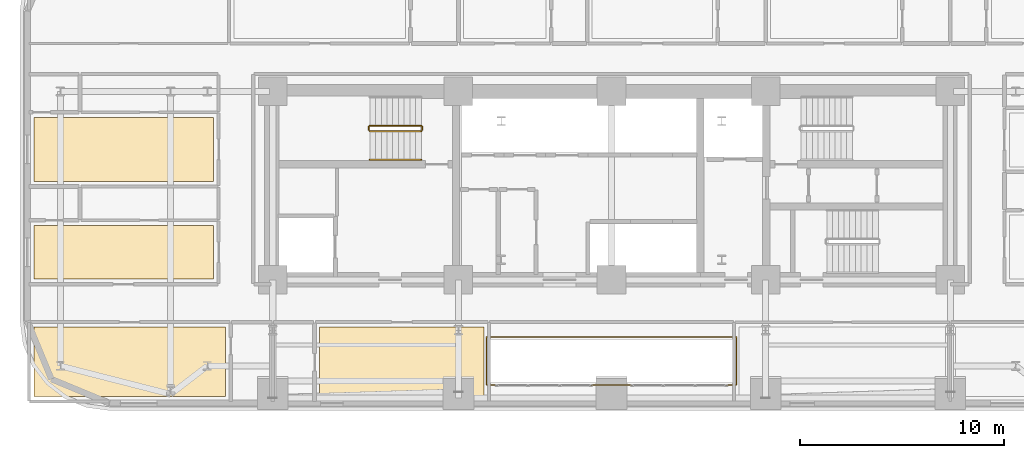
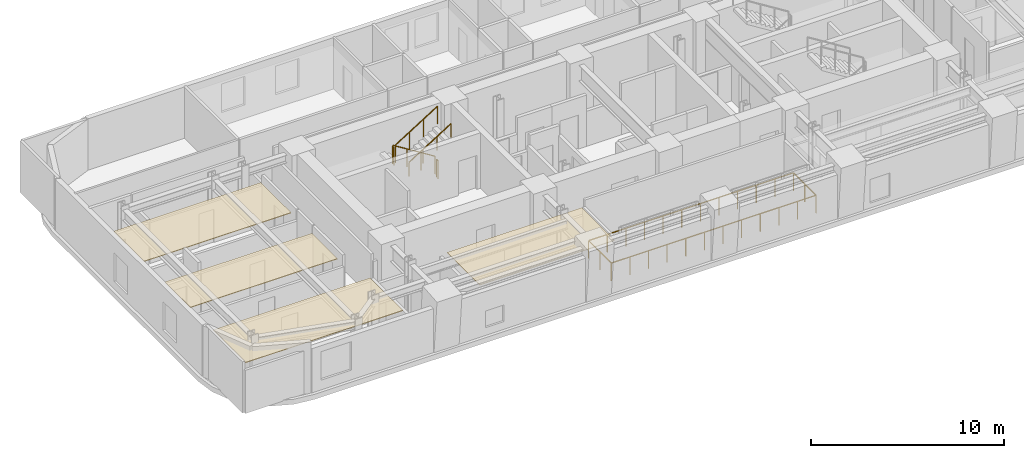
# One storey, part 13 of 15: 6 railings, 4 coverings.
"""IFC4 building model written with IfcOpenShell, lengths in metres."""

from ifc_helpers import new_model, si_unit, direction, frame, origin, origin_2d, place, context, subcontext, project, spatial, polyline, rectangle, outline, extrude, material, layer, layer_set, type_object, element, save


model = new_model("IFC4")

# Units and contexts
model_context = context("Model", 3, precision=1e-05, world=origin(), true_north=direction((0.0, 1.0)))
body_context = subcontext(model_context, "Body", "Model", "MODEL_VIEW")
ifc_project = project(units=[si_unit("LENGTHUNIT", "METRE"), si_unit("AREAUNIT", "SQUARE_METRE"), si_unit("VOLUMEUNIT", "CUBIC_METRE"), si_unit("PLANEANGLEUNIT", "RADIAN"), si_unit("MASSUNIT", "GRAM", prefix="KILO")], contexts=[model_context])

# Site, building, storey
site_placement = place(None, origin())
site = spatial("IfcSite", under=ifc_project, at=site_placement, CompositionType="ELEMENT")
building_placement = place(site_placement, origin())
building = spatial("IfcBuilding", under=site, at=building_placement, Name="Zarnavel Station Tower", CompositionType="ELEMENT")
storey_placement = place(building_placement, frame((0.0, 0.0, 43.0)))
storey = spatial("IfcBuildingStorey", under=building, at=storey_placement, Name="L11", CompositionType="ELEMENT", Elevation=43.0)

# Coverings
ifc_material_1 = material(Name="Perforated Gypsum and Mineral-Wool Acoustic Ceiling", Category="concrete")
ifc_layer = layer(ifc_material_1, 0.0400390625)
ifc_layer_set = layer_set([ifc_layer], Name="COV_CEIL_ACOUSTIC")
covering_type = type_object("IfcCoveringType", Name="COV_CEIL_ACOUSTIC", PredefinedType="CEILING", material=ifc_layer_set)
covering_1_placement = place(storey_placement, frame((0.0, 0.0, 2.919921875)))
element("IfcCovering", 1, at=covering_1_placement, inside=storey, type_object=covering_type, Name="L11 FNW1R Acoustic Ceiling", PredefinedType="CEILING", context=body_context, shape_type="SweptSolid", body=[
    extrude(outline(polyline([(0.510009765625, 27.85009765625), (9.300048828125, 27.85009765625), (9.300048828125, 30.490966796875), (0.510009765625, 30.490966796875), (0.510009765625, 27.85009765625)])), origin(), (0.0, 0.0, 1.0), 0.0400390625),
])
covering_2_placement = place(storey_placement, frame((0.0, 0.0, 2.919921875)))
element("IfcCovering", 2, at=covering_2_placement, inside=storey, type_object=covering_type, Name="L11 FNW2R Acoustic Ceiling", PredefinedType="CEILING", context=body_context, shape_type="SweptSolid", body=[
    extrude(outline(polyline([(0.510009765625, 32.64111328125), (9.300048828125, 32.64111328125), (9.300048828125, 35.777099609375), (0.510009765625, 35.777099609375), (0.510009765625, 32.64111328125)])), origin(), (0.0, 0.0, 1.0), 0.0400390625),
])
covering_3_placement = place(storey_placement, frame((0.0, 0.0, 2.919921875)))
element("IfcCovering", 3, at=covering_3_placement, inside=storey, type_object=covering_type, Name="L11 HW1R Acoustic Ceiling", PredefinedType="CEILING", context=body_context, shape_type="SweptSolid", body=[
    extrude(outline(polyline([(0.510009765625, 22.110107421875), (9.89990234375, 22.110107421875), (9.89990234375, 25.5), (0.510009765625, 25.5), (0.510009765625, 22.110107421875)])), origin(), (0.0, 0.0, 1.0), 0.0400390625),
])
covering_4_placement = place(storey_placement, frame((0.0, 0.0, 2.919921875)))
element("IfcCovering", 4, at=covering_4_placement, inside=storey, type_object=covering_type, Name="L11 HW2R Acoustic Ceiling", PredefinedType="CEILING", context=body_context, shape_type="SweptSolid", body=[
    extrude(outline(polyline([(14.5, 22.110107421875), (22.550048828125, 22.110107421875), (22.550048828125, 25.5), (14.5, 25.5), (14.5, 22.110107421875)])), origin(), (0.0, 0.0, 1.0), 0.0400390625),
])

# Railings
ifc_material_2 = material(Name="Painted Steel S355J2 Balustrade", Category="steel")
railing_type_1 = type_object("IfcRailingType", Name="GR_INT_1150", PredefinedType="GUARDRAIL", material=ifc_material_2)
railing_1_placement = place(storey_placement, frame((19.47998046875, 35.3701171875, 0.175048828125)))
element("IfcRailing", 5, at=railing_1_placement, inside=storey, type_object=railing_type_1, Name="L11 ST1 stair guard 1", PredefinedType="GUARDRAIL", context=body_context, shape_type="SweptSolid", body=[
    extrude(rectangle(XDim=0.048095703125, YDim=0.048095703125, at=origin_2d()), frame((-0.001708984375, 0.0, 1.126953125), z_axis=(-0.848007534815, 0.0, 0.529984170421), x_axis=(0.0, -1.0, 0.0)), (0.0, 0.0, 1.0), 2.9677734375),
    extrude(rectangle(XDim=0.0419921875, YDim=0.0419921875, at=origin_2d()), origin(), (0.0, 0.0, 1.0), 1.101806640625),
    extrude(rectangle(XDim=0.0419921875, YDim=0.0419921875, at=origin_2d()), frame((-0.840087890625, 0.0, 0.52490234375)), (0.0, 0.0, 1.0), 1.101806640625),
    extrude(rectangle(XDim=0.0419921875, YDim=0.0419921875, at=origin_2d()), frame((-1.679931640625, 0.0, 1.050048828125)), (0.0, 0.0, 1.0), 1.101806640625),
    extrude(rectangle(XDim=0.0419921875, YDim=0.0419921875, at=origin_2d()), frame((-2.52001953125, 0.0, 1.574951171875)), (0.0, 0.0, 1.0), 1.101806640625),
])
railing_2_placement = place(storey_placement, frame((16.909912109375, 35.320068359375, 1.75)))
element("IfcRailing", 6, at=railing_2_placement, inside=storey, type_object=railing_type_1, Name="L11 ST1 stair guard 2", PredefinedType="GUARDRAIL", context=body_context, shape_type="SweptSolid", body=[
    extrude(rectangle(XDim=0.048095703125, YDim=0.048095703125, at=origin_2d()), frame((0.0, -0.001953125, 1.1259765625), z_axis=(0.0, -1.0, 0.0), x_axis=(1.0, 0.0, 0.0)), (0.0, 0.0, 1.0), 0.15625),
    extrude(rectangle(XDim=0.0419921875, YDim=0.0419921875, at=origin_2d()), origin(), (0.0, 0.0, 1.0), 1.101806640625),
    extrude(rectangle(XDim=0.0419921875, YDim=0.0419921875, at=origin_2d()), frame((0.0, -0.16015625, 0.0)), (0.0, 0.0, 1.0), 1.101806640625),
])
railing_3_placement = place(storey_placement, frame((16.9599609375, 35.110107421875, 1.925048828125)))
element("IfcRailing", 7, at=railing_3_placement, inside=storey, type_object=railing_type_1, Name="L11 ST1 stair guard 3", PredefinedType="GUARDRAIL", context=body_context, shape_type="SweptSolid", body=[
    extrude(rectangle(XDim=0.048095703125, YDim=0.048095703125, at=origin_2d()), frame((0.001708984375, 0.0, 1.126953125), z_axis=(0.848007534815, 0.0, 0.529984170421), x_axis=(0.0, 1.0, 0.0)), (0.0, 0.0, 1.0), 2.9677734375),
    extrude(rectangle(XDim=0.0419921875, YDim=0.0419921875, at=origin_2d()), origin(), (0.0, 0.0, 1.0), 1.101806640625),
    extrude(rectangle(XDim=0.0419921875, YDim=0.0419921875, at=origin_2d()), frame((0.840087890625, 0.0, 0.52490234375)), (0.0, 0.0, 1.0), 1.101806640625),
    extrude(rectangle(XDim=0.0419921875, YDim=0.0419921875, at=origin_2d()), frame((1.679931640625, 0.0, 1.050048828125)), (0.0, 0.0, 1.0), 1.101806640625),
    extrude(rectangle(XDim=0.0419921875, YDim=0.0419921875, at=origin_2d()), frame((2.52001953125, 0.0, 1.574951171875)), (0.0, 0.0, 1.0), 1.101806640625),
])
railing_4_placement = place(storey_placement, frame((19.530029296875, 35.320068359375, 0.0)))
element("IfcRailing", 8, at=railing_4_placement, inside=storey, type_object=railing_type_1, Name="L11 ST1 stair guard 4", PredefinedType="GUARDRAIL", context=body_context, shape_type="SweptSolid", body=[
    extrude(rectangle(XDim=0.048095703125, YDim=0.048095703125, at=origin_2d()), frame((0.0, -0.001953125, 1.1259765625), z_axis=(0.0, -1.0, 0.0), x_axis=(1.0, 0.0, 0.0)), (0.0, 0.0, 1.0), 0.15625),
    extrude(rectangle(XDim=0.0419921875, YDim=0.0419921875, at=origin_2d()), origin(), (0.0, 0.0, 1.0), 1.101806640625),
    extrude(rectangle(XDim=0.0419921875, YDim=0.0419921875, at=origin_2d()), frame((0.0, -0.16015625, 0.0)), (0.0, 0.0, 1.0), 1.101806640625),
])
railing_5_placement = place(storey_placement, frame((22.679931640625, 22.679931640625, 0.0)))
element("IfcRailing", 9, at=railing_5_placement, inside=storey, type_object=railing_type_1, Name="L11 Atrium Void Guardrail", PredefinedType="GUARDRAIL", context=body_context, shape_type="SweptSolid", body=[
    extrude(rectangle(XDim=0.048095703125, YDim=0.048095703125, at=origin_2d()), frame((0.001953125, 0.0, 1.1259765625), z_axis=(1.0, 0.0, 0.0), x_axis=(0.0, 1.0, 0.0)), (0.0, 0.0, 1.0), 12.236083984375),
    extrude(rectangle(XDim=0.048095703125, YDim=0.048095703125, at=origin_2d()), frame((12.239990234375, 0.001953125, 1.1259765625), z_axis=(0.0, 1.0, 0.0), x_axis=(-1.0, 0.0, 0.0)), (0.0, 0.0, 1.0), 2.336181640625),
    extrude(rectangle(XDim=0.048095703125, YDim=0.048095703125, at=origin_2d()), frame((12.238037109375, 2.340087890625, 1.1259765625), z_axis=(-1.0, 0.0, 0.0), x_axis=(0.0, -1.0, 0.0)), (0.0, 0.0, 1.0), 12.236083984375),
    extrude(rectangle(XDim=0.048095703125, YDim=0.048095703125, at=origin_2d()), frame((0.0, 2.338134765625, 1.1259765625), z_axis=(0.0, -1.0, 0.0), x_axis=(1.0, 0.0, 0.0)), (0.0, 0.0, 1.0), 2.336181640625),
    extrude(rectangle(XDim=0.0419921875, YDim=0.0419921875, at=origin_2d()), origin(), (0.0, 0.0, 1.0), 1.101806640625),
    extrude(rectangle(XDim=0.0419921875, YDim=0.0419921875, at=origin_2d()), frame((1.11279296875, 0.0, 0.0)), (0.0, 0.0, 1.0), 1.101806640625),
    extrude(rectangle(XDim=0.0419921875, YDim=0.0419921875, at=origin_2d()), frame((2.225341796875, 0.0, 0.0)), (0.0, 0.0, 1.0), 1.101806640625),
    extrude(rectangle(XDim=0.0419921875, YDim=0.0419921875, at=origin_2d()), frame((3.338134765625, 0.0, 0.0)), (0.0, 0.0, 1.0), 1.101806640625),
    extrude(rectangle(XDim=0.0419921875, YDim=0.0419921875, at=origin_2d()), frame((4.450927734375, 0.0, 0.0)), (0.0, 0.0, 1.0), 1.101806640625),
    extrude(rectangle(XDim=0.0419921875, YDim=0.0419921875, at=origin_2d()), frame((5.563720703125, 0.0, 0.0)), (0.0, 0.0, 1.0), 1.101806640625),
    extrude(rectangle(XDim=0.0419921875, YDim=0.0419921875, at=origin_2d()), frame((6.67626953125, 0.0, 0.0)), (0.0, 0.0, 1.0), 1.101806640625),
    extrude(rectangle(XDim=0.0419921875, YDim=0.0419921875, at=origin_2d()), frame((7.7890625, 0.0, 0.0)), (0.0, 0.0, 1.0), 1.101806640625),
    extrude(rectangle(XDim=0.0419921875, YDim=0.0419921875, at=origin_2d()), frame((8.90185546875, 0.0, 0.0)), (0.0, 0.0, 1.0), 1.101806640625),
    extrude(rectangle(XDim=0.0419921875, YDim=0.0419921875, at=origin_2d()), frame((10.0146484375, 0.0, 0.0)), (0.0, 0.0, 1.0), 1.101806640625),
    extrude(rectangle(XDim=0.0419921875, YDim=0.0419921875, at=origin_2d()), frame((11.127197265625, 0.0, 0.0)), (0.0, 0.0, 1.0), 1.101806640625),
    extrude(rectangle(XDim=0.0419921875, YDim=0.0419921875, at=origin_2d()), frame((12.239990234375, 0.0, 0.0)), (0.0, 0.0, 1.0), 1.101806640625),
    extrude(rectangle(XDim=0.0419921875, YDim=0.0419921875, at=origin_2d()), frame((12.239990234375, 1.169921875, 0.0)), (0.0, 0.0, 1.0), 1.101806640625),
    extrude(rectangle(XDim=0.0419921875, YDim=0.0419921875, at=origin_2d()), frame((12.239990234375, 2.340087890625, 0.0)), (0.0, 0.0, 1.0), 1.101806640625),
    extrude(rectangle(XDim=0.0419921875, YDim=0.0419921875, at=origin_2d()), frame((11.127197265625, 2.340087890625, 0.0)), (0.0, 0.0, 1.0), 1.101806640625),
    extrude(rectangle(XDim=0.0419921875, YDim=0.0419921875, at=origin_2d()), frame((10.0146484375, 2.340087890625, 0.0)), (0.0, 0.0, 1.0), 1.101806640625),
    extrude(rectangle(XDim=0.0419921875, YDim=0.0419921875, at=origin_2d()), frame((8.90185546875, 2.340087890625, 0.0)), (0.0, 0.0, 1.0), 1.101806640625),
    extrude(rectangle(XDim=0.0419921875, YDim=0.0419921875, at=origin_2d()), frame((7.7890625, 2.340087890625, 0.0)), (0.0, 0.0, 1.0), 1.101806640625),
    extrude(rectangle(XDim=0.0419921875, YDim=0.0419921875, at=origin_2d()), frame((6.67626953125, 2.340087890625, 0.0)), (0.0, 0.0, 1.0), 1.101806640625),
    extrude(rectangle(XDim=0.0419921875, YDim=0.0419921875, at=origin_2d()), frame((5.563720703125, 2.340087890625, 0.0)), (0.0, 0.0, 1.0), 1.101806640625),
    extrude(rectangle(XDim=0.0419921875, YDim=0.0419921875, at=origin_2d()), frame((4.450927734375, 2.340087890625, 0.0)), (0.0, 0.0, 1.0), 1.101806640625),
    extrude(rectangle(XDim=0.0419921875, YDim=0.0419921875, at=origin_2d()), frame((3.338134765625, 2.340087890625, 0.0)), (0.0, 0.0, 1.0), 1.101806640625),
    extrude(rectangle(XDim=0.0419921875, YDim=0.0419921875, at=origin_2d()), frame((2.225341796875, 2.340087890625, 0.0)), (0.0, 0.0, 1.0), 1.101806640625),
    extrude(rectangle(XDim=0.0419921875, YDim=0.0419921875, at=origin_2d()), frame((1.11279296875, 2.340087890625, 0.0)), (0.0, 0.0, 1.0), 1.101806640625),
    extrude(rectangle(XDim=0.0419921875, YDim=0.0419921875, at=origin_2d()), frame((0.0, 2.340087890625, 0.0)), (0.0, 0.0, 1.0), 1.101806640625),
    extrude(rectangle(XDim=0.0419921875, YDim=0.0419921875, at=origin_2d()), frame((0.0, 1.169921875, 0.0)), (0.0, 0.0, 1.0), 1.101806640625),
])
ifc_material_3 = material(Name="Brushed Stainless Steel S355J2 Handrail", Category="steel")
railing_type_2 = type_object("IfcRailingType", Name="HR_STAIR_900", PredefinedType="HANDRAIL", material=ifc_material_3)
railing_6_placement = place(storey_placement, frame((16.9599609375, 33.7099609375, 1.925048828125)))
element("IfcRailing", 10, at=railing_6_placement, inside=storey, type_object=railing_type_2, Name="L11 ST1 stair handrail 2", PredefinedType="HANDRAIL", context=body_context, shape_type="SweptSolid", body=[
    extrude(rectangle(XDim=0.048095703125, YDim=0.048095703125, at=origin_2d()), frame((0.001708984375, 0.0, 0.876953125), z_axis=(0.848007534815, 0.0, 0.529984170421), x_axis=(0.0, 1.0, 0.0)), (0.0, 0.0, 1.0), 2.9677734375),
    extrude(rectangle(XDim=0.0419921875, YDim=0.0419921875, at=origin_2d()), origin(), (0.0, 0.0, 1.0), 0.851806640625),
    extrude(rectangle(XDim=0.0419921875, YDim=0.0419921875, at=origin_2d()), frame((0.840087890625, 0.0, 0.52490234375)), (0.0, 0.0, 1.0), 0.851806640625),
    extrude(rectangle(XDim=0.0419921875, YDim=0.0419921875, at=origin_2d()), frame((1.679931640625, 0.0, 1.050048828125)), (0.0, 0.0, 1.0), 0.851806640625),
    extrude(rectangle(XDim=0.0419921875, YDim=0.0419921875, at=origin_2d()), frame((2.52001953125, 0.0, 1.574951171875)), (0.0, 0.0, 1.0), 0.851806640625),
])

save(model, "model.ifc")
